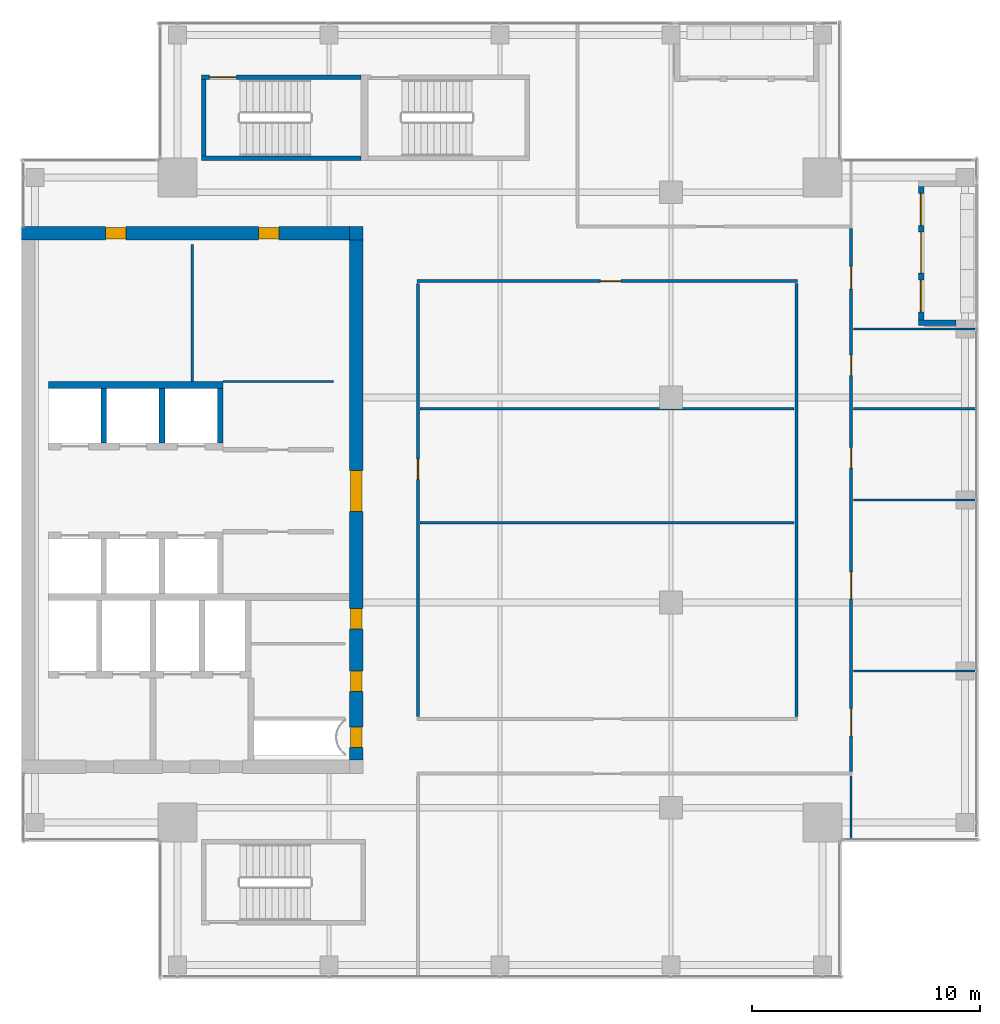
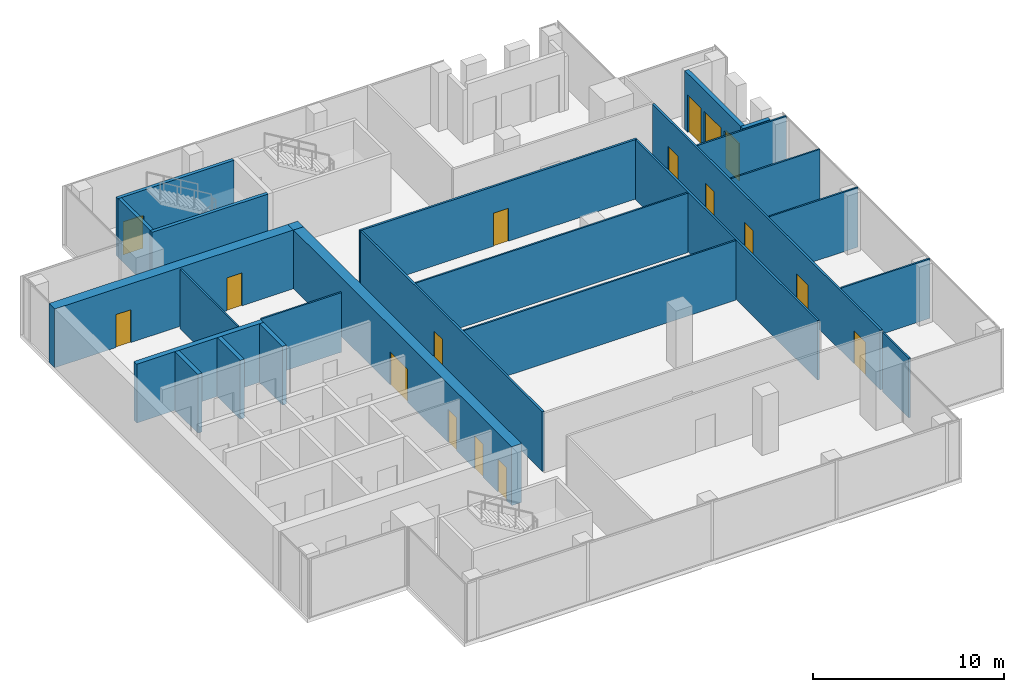
# One storey, part 26 of 29: 25 walls, 15 doors, 2 windows, 17 openings.
"""IFC4 building model written with IfcOpenShell, lengths in metres."""

import ifcopenshell
import ifcopenshell.guid

model = None  # the IFC model being written
_history = None  # IfcOwnerHistory: only IFC2X3 demands one
_inside = {}  # id of a spatial element -> (the spatial element, [elements in it])
_under = {}  # id of a project, library or spatial element -> (it, [spatial elements below it])
_declared = {}  # id of a project -> (the project, [libraries it declares])
_typed = {}  # id of a type object -> (the type object, [elements of that type])
_made_of = {}  # id of a material, layer set ... -> (it, [elements and type objects made of it])


def new_model(schema):
    """Start an empty IFC model of exactly this schema.

    Asked for "IFC4X3", IfcOpenShell would pick the latest addendum, in which some entities
    have other attributes; the version numbers below select the first issue.
    IFC2X3 requires an IfcOwnerHistory on every rooted entity: one is made here for all.
    """
    global model, _history
    if schema == "IFC4X3":
        model = ifcopenshell.file(schema_version=(4, 3, 0, 0))
    else:
        model = ifcopenshell.file(schema=schema)
    _inside.clear()
    _under.clear()
    _declared.clear()
    _typed.clear()
    _made_of.clear()
    _history = None
    if model.schema == "IFC2X3":
        org = make("IfcOrganization", Name="unknown")
        user = make(
            "IfcPersonAndOrganization",
            ThePerson=make("IfcPerson", FamilyName="unknown"),
            TheOrganization=org,
        )
        app = make(
            "IfcApplication",
            ApplicationDeveloper=org,
            Version="unknown",
            ApplicationFullName="unknown",
            ApplicationIdentifier="unknown",
        )
        _history = make(
            "IfcOwnerHistory",
            OwningUser=user,
            OwningApplication=app,
            ChangeAction="ADDED",
            CreationDate=0,
        )
    return model


def make(cls, **values):
    """One entity of the class cls with the attributes given. An attribute that is None is left unset."""
    return model.create_entity(
        cls, **{name: value for name, value in values.items() if value is not None}
    )


def rooted(cls, **values):
    """An entity with a GlobalId (a new one), such as an element, a storey or a relation."""
    return make(cls, GlobalId=ifcopenshell.guid.new(), OwnerHistory=_history, **values)


def si_unit(unit_type, name, prefix=None):
    """IfcSIUnit, for example si_unit("LENGTHUNIT", "METRE", prefix="MILLI")."""
    return make("IfcSIUnit", UnitType=unit_type, Prefix=prefix, Name=name)


def assignment(units):
    """IfcUnitAssignment: the units of a project."""
    return None if units is None else make("IfcUnitAssignment", Units=units)


def point(xyz):
    """IfcCartesianPoint."""
    return None if xyz is None else make("IfcCartesianPoint", Coordinates=xyz)


def direction(xyz):
    """IfcDirection."""
    return None if xyz is None else make("IfcDirection", DirectionRatios=xyz)


def frame(location, z_axis=None, x_axis=None):
    """IfcAxis2Placement3D, a coordinate frame: its origin and axes. An axis left out is left unset."""
    return make(
        "IfcAxis2Placement3D",
        Location=point(location),
        Axis=direction(z_axis),
        RefDirection=direction(x_axis),
    )


def frame_2d(location, x_axis=None):
    """IfcAxis2Placement2D, a coordinate frame in the plane: its origin and x axis."""
    return make(
        "IfcAxis2Placement2D", Location=point(location), RefDirection=direction(x_axis)
    )


def origin():
    """The frame at (0, 0, 0) with its axes left unset."""
    return frame((0.0, 0.0, 0.0))


def place(relative_to, where):
    """IfcLocalPlacement: puts the frame where relative to a parent placement (None: the world)."""
    return make(
        "IfcLocalPlacement", PlacementRelTo=relative_to, RelativePlacement=where
    )


def context(
    kind, dimensions, precision=None, world=None, true_north=None, identifier=None
):
    """IfcGeometricRepresentationContext, for example the 3D "Model" context."""
    return make(
        "IfcGeometricRepresentationContext",
        ContextIdentifier=identifier,
        ContextType=kind,
        CoordinateSpaceDimension=dimensions,
        Precision=precision,
        WorldCoordinateSystem=world,
        TrueNorth=true_north,
    )


def subcontext(parent, identifier, kind, view, scale=None):
    """IfcGeometricRepresentationSubContext, for example "Body" below "Model"."""
    return make(
        "IfcGeometricRepresentationSubContext",
        ContextIdentifier=identifier,
        ContextType=kind,
        ParentContext=parent,
        TargetScale=scale,
        TargetView=view,
    )


def project(units=None, contexts=None):
    """IfcProject with its units and contexts."""
    return rooted(
        "IfcProject",
        Name="project",
        RepresentationContexts=contexts,
        UnitsInContext=assignment(units),
    )


def spatial(cls, under=None, at=None, **own):
    """A site, building, storey or space (cls), placed at a placement, below another one or the project."""
    s = rooted(cls, ObjectPlacement=at, **own)
    if under is not None:
        _under.setdefault(under.id(), (under, []))[1].append(s)
    return s


def profile(cls, at=None, kind="AREA", **sizes):
    """A parametric profile (cls). Its sizes go by their IFC names, for example OverallWidth=200.0."""
    return make(cls, ProfileType=kind, Position=at, **sizes)


def rectangle(**sizes):
    """IfcRectangleProfileDef."""
    return profile("IfcRectangleProfileDef", **sizes)


def extrude(swept, where, along, depth):
    """IfcExtrudedAreaSolid: the profile swept, set in the frame where, extruded along a direction by depth."""
    return make(
        "IfcExtrudedAreaSolid",
        SweptArea=swept,
        Position=where,
        ExtrudedDirection=direction(along),
        Depth=depth,
    )


def shape(context_of_items, identifier, shape_type, items):
    """IfcShapeRepresentation: the items that make up one representation, for example the "Body"."""
    return make(
        "IfcShapeRepresentation",
        ContextOfItems=context_of_items,
        RepresentationIdentifier=identifier,
        RepresentationType=shape_type,
        Items=items,
    )


def source(mapping_origin, context_of_items, identifier, shape_type, items):
    """IfcRepresentationMap: a shape defined once, which mapped items show again and again."""
    return make(
        "IfcRepresentationMap",
        MappingOrigin=mapping_origin,
        MappedRepresentation=shape(context_of_items, identifier, shape_type, items),
    )


def transform(
    local_origin,
    x_axis=None,
    y_axis=None,
    z_axis=None,
    scale=None,
    scale2=None,
    scale3=None,
    uniform=True,
):
    """IfcCartesianTransformationOperator3D, or its non-uniform kind. x_axis, y_axis, z_axis: its Axis1, 2, 3."""
    if uniform:
        return make(
            "IfcCartesianTransformationOperator3D",
            Axis1=direction(x_axis),
            Axis2=direction(y_axis),
            LocalOrigin=point(local_origin),
            Scale=scale,
            Axis3=direction(z_axis),
        )
    return make(
        "IfcCartesianTransformationOperator3DnonUniform",
        Axis1=direction(x_axis),
        Axis2=direction(y_axis),
        LocalOrigin=point(local_origin),
        Scale=scale,
        Axis3=direction(z_axis),
        Scale2=scale2,
        Scale3=scale3,
    )


def mapped(mapping_source, mapping_target):
    """IfcMappedItem: shows the shape of a source again, moved by a transform."""
    return make(
        "IfcMappedItem", MappingSource=mapping_source, MappingTarget=mapping_target
    )


def material(Name=None, Category=None):
    """IfcMaterial."""
    return make("IfcMaterial", Name=Name, Category=Category)


def layer(
    of_material, thickness, ventilated=None, Name=None, Category=None, Priority=None
):
    """IfcMaterialLayer: one layer of a wall or slab, of a material (None: an air gap)."""
    return make(
        "IfcMaterialLayer",
        Material=of_material,
        LayerThickness=thickness,
        IsVentilated=ventilated,
        Name=Name,
        Category=Category,
        Priority=Priority,
    )


def layer_set(layers, Name=None):
    """IfcMaterialLayerSet."""
    return make("IfcMaterialLayerSet", MaterialLayers=layers, LayerSetName=Name)


def made_of(thing, what):
    """Note that an element or type object is made of a material, layer set ...; save() writes the relation."""
    if what is not None:
        _made_of.setdefault(what.id(), (what, []))[1].append(thing)
    return thing


def type_object(cls, material=None, **own):
    """A type object (cls), such as IfcWallType, which elements share."""
    return made_of(rooted(cls, **own), material)


def element(
    cls,
    number,
    at=None,
    inside=None,
    cuts=None,
    type_object=None,
    material=None,
    context=None,
    identifier="Body",
    shape_type=None,
    held_by="IfcProductDefinitionShape",
    body=None,
    shapes=None,
    **own,
):
    """One element of the class cls, such as IfcWall. Its Tag is "e" and its number.

    at: its placement. inside: the storey or other place that contains it. cuts: it is an
    opening in that element (IfcRelVoidsElement). A single representation is given by context,
    identifier, shape_type and body (its items); several are given by shapes. held_by: the class
    of the entity that holds the representations. save() writes the other relations.
    """
    e = rooted(cls, Tag="e%d" % number, ObjectPlacement=at, **own)
    if body is not None:
        shapes = [shape(context, identifier, shape_type, body)]
    if shapes is not None:
        e.Representation = make(held_by, Representations=shapes)
    if inside is not None:
        _inside.setdefault(inside.id(), (inside, []))[1].append(e)
    if cuts is not None:
        rooted(
            "IfcRelVoidsElement", RelatingBuildingElement=cuts, RelatedOpeningElement=e
        )
    if type_object is not None:
        _typed.setdefault(type_object.id(), (type_object, []))[1].append(e)
    return made_of(e, material)


def fill(opening, filler):
    """IfcRelFillsElement: the door or window that sits in an opening."""
    return rooted(
        "IfcRelFillsElement",
        RelatingOpeningElement=opening,
        RelatedBuildingElement=filler,
    )


def aggregate(whole, parts):
    """IfcRelAggregates: a whole, such as a stair, and the parts it consists of."""
    return rooted("IfcRelAggregates", RelatingObject=whole, RelatedObjects=parts)


def save(model, path):
    """Write the relations noted so far, then the file.

    IfcRelAggregates (storeys below a building ...), IfcRelContainedInSpatialStructure (elements
    in a storey), IfcRelDefinesByType, IfcRelAssociatesMaterial and IfcRelDeclares: one each for
    every whole, place, type object, material and project.
    """
    for whole, parts in _under.values():
        aggregate(whole, parts)
    for where, things in _inside.values():
        rooted(
            "IfcRelContainedInSpatialStructure",
            RelatedElements=things,
            RelatingStructure=where,
        )
    for kind, things in _typed.values():
        rooted("IfcRelDefinesByType", RelatedObjects=things, RelatingType=kind)
    for what, things in _made_of.values():
        rooted("IfcRelAssociatesMaterial", RelatedObjects=things, RelatingMaterial=what)
    for by, libraries in _declared.values():
        rooted("IfcRelDeclares", RelatingContext=by, RelatedDefinitions=libraries)
    model.write(path)


model = new_model("IFC4")

# Units and contexts
model_context = context("Model", 3, precision=1e-05, world=origin(), true_north=direction((0.0, 1.0)))
body_context = subcontext(model_context, "Body", "Model", "MODEL_VIEW")
ifc_project = project(units=[si_unit("LENGTHUNIT", "METRE"), si_unit("AREAUNIT", "SQUARE_METRE"), si_unit("VOLUMEUNIT", "CUBIC_METRE"), si_unit("PLANEANGLEUNIT", "RADIAN"), si_unit("MASSUNIT", "GRAM", prefix="KILO")], contexts=[model_context])

# Site, building, storey
site_placement = place(None, origin())
site = spatial("IfcSite", under=ifc_project, at=site_placement, CompositionType="ELEMENT")
building_placement = place(site_placement, origin())
building = spatial("IfcBuilding", under=site, at=building_placement, Name="Khomas Fold Tower", CompositionType="ELEMENT")
storey_placement = place(building_placement, frame((0.0, 0.0, 314.199951171875)))
storey = spatial("IfcBuildingStorey", under=building, at=storey_placement, Name="L71", CompositionType="ELEMENT", Elevation=314.199951171875)

# Wall, opening, door
ifc_material_1 = material(Name="Concrete C50/60", Category="concrete")
ifc_layer_1 = layer(ifc_material_1, 0.199951171875)
ifc_layer_set_1 = layer_set([ifc_layer_1], Name="Concrete C50/60")
wall_type_1 = type_object("IfcWallType", Name="Stair wall 200", PredefinedType="SHEAR", material=ifc_layer_set_1)
shared_shape_1 = source(origin(), body_context, "Body", "SweptSolid", [
    extrude(rectangle(XDim=7.0, YDim=0.199951171875, at=frame_2d((3.5, 0.0))), origin(), (0.0, 0.0, 1.0), 3.75),
])
wall_1_placement = place(storey_placement, frame((13.89990234375, 45.550048828125, 0.0), z_axis=(0.0, 0.0, 1.0), x_axis=(1.0, 0.0, 0.0)))
wall_1 = element("IfcWall", 1, at=wall_1_placement, inside=storey, type_object=wall_type_1, Name="Stair wall SW-ST1-N", PredefinedType="SHEAR", context=body_context, shape_type="MappedRepresentation", body=[
    mapped(shared_shape_1, transform((0.0, 0.0, 0.0))),
])
shared_shape_2 = source(origin(), body_context, "Body", "SweptSolid", [
    extrude(rectangle(XDim=1.199951171875, YDim=2.10009765625, at=frame_2d((0.60009765625, 1.050048828125))), frame((0.0, 0.10986328125, 0.0), z_axis=(0.0, -1.0, 0.0), x_axis=(1.0, 0.0, 0.0)), (0.0, 0.0, 1.0), 0.219970703125),
])
opening_1_placement = place(wall_1_placement, frame((0.35009765625, 0.0, 0.0)))
opening_1 = element("IfcOpeningElement", 2, at=opening_1_placement, cuts=wall_1, Name="Opening SD-ST1", PredefinedType="OPENING", context=body_context, shape_type="MappedRepresentation", body=[
    mapped(shared_shape_2, transform((0.0, 0.0, 0.0))),
])
ifc_material_2 = material(Name="Steel door leaf", Category="steel")
door_type_1 = type_object("IfcDoorType", Name="Stair door 1200x2100 left-hand", OperationType="SINGLE_SWING_LEFT", PredefinedType="DOOR", material=ifc_material_2)
shared_shape_3 = source(origin(), body_context, "Body", "SweptSolid", [
    extrude(rectangle(XDim=1.199951171875, YDim=2.10009765625, at=frame_2d((0.60009765625, 1.050048828125))), frame((0.0, 0.02490234375, 0.0), z_axis=(0.0, -1.0, 0.0), x_axis=(1.0, 0.0, 0.0)), (0.0, 0.0, 1.0), 0.050048828125),
])
door_1_placement = place(opening_1_placement, origin())
door_1 = element("IfcDoor", 3, at=door_1_placement, inside=storey, type_object=door_type_1, Name="Stair door", OperationType="SINGLE_SWING_LEFT", OverallHeight=2.10009765625, OverallWidth=1.199951171875, PredefinedType="DOOR", context=body_context, shape_type="MappedRepresentation", body=[
    mapped(shared_shape_3, transform((0.0, 0.0, 0.0))),
])
fill(opening_1, door_1)

# Walls
wall_2_placement = place(storey_placement, frame((13.89990234375, 42.0, 0.0), z_axis=(0.0, 0.0, 1.0), x_axis=(1.0, 0.0, 0.0)))
element("IfcWall", 4, at=wall_2_placement, inside=storey, type_object=wall_type_1, Name="Stair wall SW-ST1-S", PredefinedType="SHEAR", context=body_context, shape_type="MappedRepresentation", body=[
    mapped(shared_shape_1, transform((0.0, 0.0, 0.0))),
])
shared_shape_4 = source(origin(), body_context, "Body", "SweptSolid", [
    extrude(rectangle(XDim=3.349853515625, YDim=0.199951171875, at=frame_2d((1.6748046875, 0.0))), origin(), (0.0, 0.0, 1.0), 3.75),
])
wall_3_placement = place(storey_placement, frame((14.0, 42.10009765625, 0.0), z_axis=(0.0, 0.0, 1.0), x_axis=(0.0, 1.0, 0.0)))
element("IfcWall", 5, at=wall_3_placement, inside=storey, type_object=wall_type_1, Name="Stair wall SW-ST1-W", PredefinedType="SHEAR", context=body_context, shape_type="MappedRepresentation", body=[
    mapped(shared_shape_4, transform((0.0, 0.0, 0.0))),
])
ifc_material_3 = material(Name="Concrete C50/60", Category="concrete")
ifc_layer_2 = layer(ifc_material_3, 0.25)
ifc_layer_set_2 = layer_set([ifc_layer_2], Name="Concrete C50/60")
wall_type_2 = type_object("IfcWallType", Name="Shaft wall 250", PredefinedType="STANDARD", material=ifc_layer_set_2)
shared_shape_5 = source(origin(), body_context, "Body", "SweptSolid", [
    extrude(rectangle(XDim=2.39990234375, YDim=0.25, at=frame_2d((1.199951171875, 0.0))), origin(), (0.0, 0.0, 1.0), 3.75),
])
for number, where, z_axis, x_axis, name in (
    (6, (9.625, 29.5, 0.0), (0.0, 0.0, 1.0), (0.0, 1.0, 0.0), "Core wall SW-HRN-P1"),
    (7, (12.175048828125, 29.5, 0.0), (0.0, 0.0, 1.0), (0.0, 1.0, 0.0), "Core wall SW-HRN-P2"),
    (8, (14.72509765625, 29.5, 0.0), (0.0, 0.0, 1.0), (0.0, 1.0, 0.0), "Core wall SW-HRN-PE"),
):
    element("IfcWall", number, at=place(storey_placement, frame(where, z_axis=z_axis, x_axis=x_axis)), inside=storey, type_object=wall_type_2, Name=name, PredefinedType="STANDARD", context=body_context, shape_type="MappedRepresentation", body=[
        mapped(shared_shape_5, transform((0.0, 0.0, 0.0))),
    ])

# Wall, openings, doors
ifc_material_4 = material(Name="Concrete C50/60", Category="concrete")
ifc_layer_3 = layer(ifc_material_4, 0.60009765625)
ifc_layer_set_3 = layer_set([ifc_layer_3], Name="Concrete C50/60")
wall_type_3 = type_object("IfcWallType", Name="Core wall 600", PredefinedType="SHEAR", material=ifc_layer_set_3)
shared_shape_6 = source(origin(), body_context, "Body", "SweptSolid", [
    extrude(rectangle(XDim=14.39990234375, YDim=0.60009765625, at=frame_2d((7.199951171875, 0.0))), origin(), (0.0, 0.0, 1.0), 3.75),
])
wall_4_placement = place(storey_placement, frame((6.0, 38.699951171875, 0.0), z_axis=(0.0, 0.0, 1.0), x_axis=(1.0, 0.0, 0.0)))
wall_4 = element("IfcWall", 9, at=wall_4_placement, inside=storey, type_object=wall_type_3, Name="Core wall CW-U-N-L63", PredefinedType="SHEAR", context=body_context, shape_type="MappedRepresentation", body=[
    mapped(shared_shape_6, transform((0.0, 0.0, 0.0))),
])
shared_shape_7 = source(origin(), body_context, "Body", "SweptSolid", [
    extrude(rectangle(XDim=0.89990234375, YDim=2.10009765625, at=frame_2d((0.449951171875, 1.050048828125))), frame((0.0, 0.31005859375, 0.0), z_axis=(0.0, -1.0, 0.0), x_axis=(1.0, 0.0, 0.0)), (0.0, 0.0, 1.0), 0.6201171875),
])
opening_2_placement = place(wall_4_placement, frame((3.699951171875, 0.0, 0.0)))
opening_2 = element("IfcOpeningElement", 10, at=opening_2_placement, cuts=wall_4, Name="Opening 0008", PredefinedType="OPENING", context=body_context, shape_type="MappedRepresentation", body=[
    mapped(shared_shape_7, transform((0.0, 0.0, 0.0))),
])
opening_3_placement = place(wall_4_placement, frame((10.39990234375, 0.0, 0.0)))
opening_3 = element("IfcOpeningElement", 11, at=opening_3_placement, cuts=wall_4, Name="Opening 0008", PredefinedType="OPENING", context=body_context, shape_type="MappedRepresentation", body=[
    mapped(shared_shape_7, transform((0.0, 0.0, 0.0))),
])
ifc_material_5 = material(Name="Timber door leaf", Category="wood")
door_type_2 = type_object("IfcDoorType", Name="Door 900x2100 right-hand", OperationType="SINGLE_SWING_RIGHT", PredefinedType="DOOR", material=ifc_material_5)
shared_shape_8 = source(origin(), body_context, "Body", "SweptSolid", [
    extrude(rectangle(XDim=0.89990234375, YDim=2.10009765625, at=frame_2d((0.449951171875, 1.050048828125))), frame((0.0, 0.25, 0.0), z_axis=(0.0, -1.0, 0.0), x_axis=(1.0, 0.0, 0.0)), (0.0, 0.0, 1.0), 0.5),
])
door_2_placement = place(opening_2_placement, origin())
door_2 = element("IfcDoor", 12, at=door_2_placement, inside=storey, type_object=door_type_2, Name="Door", OperationType="SINGLE_SWING_RIGHT", OverallHeight=2.10009765625, OverallWidth=0.89990234375, PredefinedType="DOOR", context=body_context, shape_type="MappedRepresentation", body=[
    mapped(shared_shape_8, transform((0.0, 0.0, 0.0))),
])
fill(opening_2, door_2)
door_3_placement = place(opening_3_placement, origin())
door_3 = element("IfcDoor", 13, at=door_3_placement, inside=storey, type_object=door_type_2, Name="Door", OperationType="SINGLE_SWING_RIGHT", OverallHeight=2.10009765625, OverallWidth=0.89990234375, PredefinedType="DOOR", context=body_context, shape_type="MappedRepresentation", body=[
    mapped(shared_shape_8, transform((0.0, 0.0, 0.0))),
])
fill(opening_3, door_3)

# Wall
ifc_material_6 = material(Name="Concrete C50/60", Category="concrete")
ifc_layer_4 = layer(ifc_material_6, 0.60009765625)
ifc_layer_set_4 = layer_set([ifc_layer_4], Name="Concrete C50/60")
wall_type_4 = type_object("IfcWallType", Name="Core corner wall 600", PredefinedType="SHEAR", material=ifc_layer_set_4)
shared_shape_9 = source(origin(), body_context, "Body", "SweptSolid", [
    extrude(rectangle(XDim=0.60009765625, YDim=0.60009765625, at=frame_2d((0.300048828125, 0.0))), origin(), (0.0, 0.0, 1.0), 3.75),
])
wall_5_placement = place(storey_placement, frame((20.39990234375, 38.699951171875, 0.0), z_axis=(0.0, 0.0, 1.0), x_axis=(1.0, 0.0, 0.0)))
element("IfcWall", 14, at=wall_5_placement, inside=storey, type_object=wall_type_4, Name="Core wall CW-U-NE-L63", PredefinedType="SHEAR", context=body_context, shape_type="MappedRepresentation", body=[
    mapped(shared_shape_9, transform((0.0, 0.0, 0.0))),
])

# Wall, openings, doors
shared_shape_10 = source(origin(), body_context, "Body", "SweptSolid", [
    extrude(rectangle(XDim=22.7998046875, YDim=0.60009765625, at=frame_2d((11.39990234375, 0.0))), origin(), (0.0, 0.0, 1.0), 3.75),
])
wall_6_placement = place(storey_placement, frame((20.699951171875, 15.60009765625, 0.0), z_axis=(0.0, 0.0, 1.0), x_axis=(0.0, 1.0, 0.0)))
wall_6 = element("IfcWall", 15, at=wall_6_placement, inside=storey, type_object=wall_type_3, Name="Core wall CW-U-E-L63", PredefinedType="SHEAR", context=body_context, shape_type="MappedRepresentation", body=[
    mapped(shared_shape_10, transform((0.0, 0.0, 0.0))),
])
shared_shape_11 = source(origin(), body_context, "Body", "SweptSolid", [
    extrude(rectangle(XDim=1.800048828125, YDim=2.10009765625, at=frame_2d((0.89990234375, 1.050048828125))), frame((0.0, 0.31005859375, 0.0), z_axis=(0.0, -1.0, 0.0), x_axis=(1.0, 0.0, 0.0)), (0.0, 0.0, 1.0), 0.6201171875),
])
opening_4_placement = place(wall_6_placement, frame((10.89990234375, 0.0, 0.0)))
opening_4 = element("IfcOpeningElement", 16, at=opening_4_placement, cuts=wall_6, Name="Opening 0015", PredefinedType="OPENING", context=body_context, shape_type="MappedRepresentation", body=[
    mapped(shared_shape_11, transform((0.0, 0.0, 0.0))),
])
opening_5_placement = place(wall_6_placement, frame((0.550048828125, 0.0, 0.0)))
opening_5 = element("IfcOpeningElement", 17, at=opening_5_placement, cuts=wall_6, Name="Opening 0003", PredefinedType="OPENING", context=body_context, shape_type="MappedRepresentation", body=[
    mapped(shared_shape_7, transform((0.0, 0.0, 0.0))),
])
opening_6_placement = place(wall_6_placement, frame((3.0, 0.0, 0.0)))
opening_6 = element("IfcOpeningElement", 18, at=opening_6_placement, cuts=wall_6, Name="Opening 0008", PredefinedType="OPENING", context=body_context, shape_type="MappedRepresentation", body=[
    mapped(shared_shape_7, transform((0.0, 0.0, 0.0))),
])
opening_7_placement = place(wall_6_placement, frame((5.75, 0.0, 0.0)))
opening_7 = element("IfcOpeningElement", 19, at=opening_7_placement, cuts=wall_6, Name="Opening 0008", PredefinedType="OPENING", context=body_context, shape_type="MappedRepresentation", body=[
    mapped(shared_shape_7, transform((0.0, 0.0, 0.0))),
])
ifc_material_7 = material(Name="Steel door leaf", Category="steel")
door_type_3 = type_object("IfcDoorType", Name="Lobby door 1800x2100", OperationType="DOUBLE_DOOR_SINGLE_SWING", PredefinedType="DOOR", material=ifc_material_7)
shared_shape_12 = source(origin(), body_context, "Body", "SweptSolid", [
    extrude(rectangle(XDim=1.800048828125, YDim=2.10009765625, at=frame_2d((0.89990234375, 1.050048828125))), frame((0.0, 0.25, 0.0), z_axis=(0.0, -1.0, 0.0), x_axis=(1.0, 0.0, 0.0)), (0.0, 0.0, 1.0), 0.5),
])
door_4_placement = place(opening_4_placement, origin())
door_4 = element("IfcDoor", 20, at=door_4_placement, inside=storey, type_object=door_type_3, Name="Lobby door", OperationType="DOUBLE_DOOR_SINGLE_SWING", OverallHeight=2.10009765625, OverallWidth=1.800048828125, PredefinedType="DOOR", context=body_context, shape_type="MappedRepresentation", body=[
    mapped(shared_shape_12, transform((0.0, 0.0, 0.0))),
])
fill(opening_4, door_4)
ifc_material_8 = material(Name="Steel door leaf", Category="steel")
door_type_4 = type_object("IfcDoorType", Name="Plant room door 900x2100 right-hand", OperationType="SINGLE_SWING_RIGHT", PredefinedType="DOOR", material=ifc_material_8)
door_5_placement = place(opening_5_placement, origin())
door_5 = element("IfcDoor", 21, at=door_5_placement, inside=storey, type_object=door_type_4, Name="Plant room door", OperationType="SINGLE_SWING_RIGHT", OverallHeight=2.10009765625, OverallWidth=0.89990234375, PredefinedType="DOOR", context=body_context, shape_type="MappedRepresentation", body=[
    mapped(shared_shape_8, transform((0.0, 0.0, 0.0))),
])
fill(opening_5, door_5)
door_6_placement = place(opening_6_placement, origin())
door_6 = element("IfcDoor", 22, at=door_6_placement, inside=storey, type_object=door_type_2, Name="Door", OperationType="SINGLE_SWING_RIGHT", OverallHeight=2.10009765625, OverallWidth=0.89990234375, PredefinedType="DOOR", context=body_context, shape_type="MappedRepresentation", body=[
    mapped(shared_shape_8, transform((0.0, 0.0, 0.0))),
])
fill(opening_6, door_6)
door_7_placement = place(opening_7_placement, origin())
door_7 = element("IfcDoor", 23, at=door_7_placement, inside=storey, type_object=door_type_2, Name="Door", OperationType="SINGLE_SWING_RIGHT", OverallHeight=2.10009765625, OverallWidth=0.89990234375, PredefinedType="DOOR", context=body_context, shape_type="MappedRepresentation", body=[
    mapped(shared_shape_8, transform((0.0, 0.0, 0.0))),
])
fill(opening_7, door_7)

# Wall
ifc_material_9 = material(Name="Concrete C50/60", Category="concrete")
ifc_layer_5 = layer(ifc_material_9, 0.300048828125)
ifc_layer_set_5 = layer_set([ifc_layer_5], Name="Concrete C50/60")
wall_type_5 = type_object("IfcWallType", Name="Shaft wall 300", PredefinedType="STANDARD", material=ifc_layer_set_5)
shared_shape_13 = source(origin(), body_context, "Body", "SweptSolid", [
    extrude(rectangle(XDim=7.650146484375, YDim=0.300048828125, at=frame_2d((3.8251953125, 0.0))), origin(), (0.0, 0.0, 1.0), 3.75),
])
wall_7_placement = place(storey_placement, frame((7.199951171875, 32.050048828125, 0.0), z_axis=(0.0, 0.0, 1.0), x_axis=(1.0, 0.0, 0.0)))
element("IfcWall", 24, at=wall_7_placement, inside=storey, type_object=wall_type_5, Name="Core wall SW-HRN-B", PredefinedType="STANDARD", context=body_context, shape_type="MappedRepresentation", body=[
    mapped(shared_shape_13, transform((0.0, 0.0, 0.0))),
])

# Wall, openings, door, windows
ifc_material_10 = material(Name="Natural stone", Category="masonry")
ifc_layer_6 = layer(ifc_material_10, 0.0400390625)
ifc_material_11 = material(Name="Mineral wool insulation", Category="insulation")
ifc_layer_7 = layer(ifc_material_11, 0.10009765625)
ifc_material_12 = material(Name="Masonry", Category="masonry")
ifc_layer_8 = layer(ifc_material_12, 0.110107421875)
ifc_layer_set_6 = layer_set([ifc_layer_6, ifc_layer_7, ifc_layer_8], Name="Stone-faced insulated masonry")
wall_type_6 = type_object("IfcWallType", Name="BL-Balcony wall", PredefinedType="SOLIDWALL", material=ifc_layer_set_6)
shared_shape_14 = source(origin(), body_context, "Body", "SweptSolid", [
    extrude(rectangle(XDim=5.85009765625, YDim=0.25, at=frame_2d((2.925048828125, 0.0))), origin(), (0.0, 0.0, 1.0), 3.75),
])
wall_8_placement = place(storey_placement, frame((45.47509765625, 34.89990234375, 0.0), z_axis=(0.0, 0.0, 1.0), x_axis=(0.0, 1.0, 0.0)))
wall_8 = element("IfcWall", 25, at=wall_8_placement, inside=storey, type_object=wall_type_6, Name="Balcony wall BAL-L71-E4", PredefinedType="SOLIDWALL", context=body_context, shape_type="MappedRepresentation", body=[
    mapped(shared_shape_14, transform((0.0, 0.0, 0.0))),
])
shared_shape_15 = source(origin(), body_context, "Body", "SweptSolid", [
    extrude(rectangle(XDim=1.39990234375, YDim=2.39990234375, at=frame_2d((0.699951171875, 1.199951171875))), frame((0.0, 0.135009765625, 0.0), z_axis=(0.0, -1.0, 0.0), x_axis=(1.0, 0.0, 0.0)), (0.0, 0.0, 1.0), 0.27001953125),
])
opening_8_placement = place(wall_8_placement, frame((0.35009765625, 0.0, 0.0)))
opening_8 = element("IfcOpeningElement", 26, at=opening_8_placement, cuts=wall_8, Name="Opening BL-W6", PredefinedType="OPENING", context=body_context, shape_type="MappedRepresentation", body=[
    mapped(shared_shape_15, transform((0.0, 0.0, 0.0))),
])
opening_9_placement = place(wall_8_placement, frame((4.14990234375, 0.0, 0.0)))
opening_9 = element("IfcOpeningElement", 27, at=opening_9_placement, cuts=wall_8, Name="Opening BL-W6", PredefinedType="OPENING", context=body_context, shape_type="MappedRepresentation", body=[
    mapped(shared_shape_15, transform((0.0, 0.0, 0.0))),
])
shared_shape_16 = source(origin(), body_context, "Body", "SweptSolid", [
    extrude(rectangle(XDim=1.800048828125, YDim=2.39990234375, at=frame_2d((0.89990234375, 1.199951171875))), frame((0.0, 0.135009765625, 0.0), z_axis=(0.0, -1.0, 0.0), x_axis=(1.0, 0.0, 0.0)), (0.0, 0.0, 1.0), 0.27001953125),
])
opening_10_placement = place(wall_8_placement, frame((2.050048828125, 0.0, 0.0)))
opening_10 = element("IfcOpeningElement", 28, at=opening_10_placement, cuts=wall_8, Name="Opening BD711", PredefinedType="OPENING", context=body_context, shape_type="MappedRepresentation", body=[
    mapped(shared_shape_16, transform((0.0, 0.0, 0.0))),
])
ifc_material_13 = material(Name="Aluminium framed double glazing", Category="aluminium")
door_type_5 = type_object("IfcDoorType", Name="BL-Glazed balcony door 1800 x 2400", OperationType="DOUBLE_DOOR_DOUBLE_SWING", PredefinedType="DOOR", material=ifc_material_13)
shared_shape_17 = source(origin(), body_context, "Body", "SweptSolid", [
    extrude(rectangle(XDim=1.800048828125, YDim=2.39990234375, at=frame_2d((0.89990234375, 1.199951171875))), frame((0.0, 0.02490234375, 0.0), z_axis=(0.0, -1.0, 0.0), x_axis=(1.0, 0.0, 0.0)), (0.0, 0.0, 1.0), 0.050048828125),
])
door_8_placement = place(opening_10_placement, origin())
door_8 = element("IfcDoor", 29, at=door_8_placement, inside=storey, type_object=door_type_5, Name="Balcony door BD711", OperationType="DOUBLE_DOOR_DOUBLE_SWING", OverallHeight=2.39990234375, OverallWidth=1.800048828125, PredefinedType="DOOR", context=body_context, shape_type="MappedRepresentation", body=[
    mapped(shared_shape_17, transform((0.0, 0.0, 0.0))),
])
fill(opening_10, door_8)
ifc_material_14 = material(Name="Aluminium framed double glazing", Category="aluminium")
window_type = type_object("IfcWindowType", Name="BL-Fixed glazing 1400 x 2400", PartitioningType="SINGLE_PANEL", PredefinedType="WINDOW", material=ifc_material_14)
shared_shape_18 = source(origin(), body_context, "Body", "SweptSolid", [
    extrude(rectangle(XDim=1.39990234375, YDim=2.39990234375, at=frame_2d((0.699951171875, 1.199951171875))), frame((0.0, 0.030029296875, 0.0), z_axis=(0.0, -1.0, 0.0), x_axis=(1.0, 0.0, 0.0)), (0.0, 0.0, 1.0), 0.06005859375),
])
window_1_placement = place(opening_8_placement, origin())
window_1 = element("IfcWindow", 30, at=window_1_placement, inside=storey, type_object=window_type, Name="Balcony glazing BAL-L71-E4-1", OverallHeight=2.39990234375, OverallWidth=1.39990234375, PartitioningType="SINGLE_PANEL", PredefinedType="WINDOW", context=body_context, shape_type="MappedRepresentation", body=[
    mapped(shared_shape_18, transform((0.0, 0.0, 0.0))),
])
fill(opening_8, window_1)
window_2_placement = place(opening_9_placement, origin())
window_2 = element("IfcWindow", 31, at=window_2_placement, inside=storey, type_object=window_type, Name="Balcony glazing BAL-L71-E4-2", OverallHeight=2.39990234375, OverallWidth=1.39990234375, PartitioningType="SINGLE_PANEL", PredefinedType="WINDOW", context=body_context, shape_type="MappedRepresentation", body=[
    mapped(shared_shape_18, transform((0.0, 0.0, 0.0))),
])
fill(opening_9, window_2)

# Walls
shared_shape_19 = source(origin(), body_context, "Body", "SweptSolid", [
    extrude(rectangle(XDim=1.64990234375, YDim=0.25, at=frame_2d((0.824951171875, 0.0))), origin(), (0.0, 0.0, 1.0), 3.75),
])
wall_9_placement = place(storey_placement, frame((47.0, 34.77490234375, 0.0), z_axis=(0.0, 0.0, 1.0), x_axis=(-1.0, 0.0, 0.0)))
element("IfcWall", 32, at=wall_9_placement, inside=storey, type_object=wall_type_6, Name="Balcony return wall BAL-L71-E4-lo", PredefinedType="SOLIDWALL", context=body_context, shape_type="MappedRepresentation", body=[
    mapped(shared_shape_19, transform((0.0, 0.0, 0.0))),
])
ifc_material_15 = material(Name="Plasterboard partition")
ifc_layer_9 = layer(ifc_material_15, 0.10009765625)
ifc_layer_set_7 = layer_set([ifc_layer_9], Name="Plasterboard partition")
wall_type_7 = type_object("IfcWallType", Name="Partition PW1 100", PredefinedType="PARTITIONING", material=ifc_layer_set_7)
shared_shape_20 = source(origin(), body_context, "Body", "SweptSolid", [
    extrude(rectangle(XDim=6.0, YDim=0.10009765625, at=frame_2d((3.0, 0.0))), origin(), (0.0, 0.0, 1.0), 3.800048828125),
])
wall_10_placement = place(storey_placement, frame((13.5, 32.199951171875, 0.0), z_axis=(0.0, 0.0, 1.0), x_axis=(0.0, 1.0, 0.0)))
element("IfcWall", 33, at=wall_10_placement, inside=storey, type_object=wall_type_7, Name="Partition", PredefinedType="PARTITIONING", context=body_context, shape_type="MappedRepresentation", body=[
    mapped(shared_shape_20, transform((0.0, 0.0, 0.0))),
])

# Wall, opening, door
ifc_material_16 = material(Name="Plasterboard partition")
ifc_layer_10 = layer(ifc_material_16, 0.125)
ifc_layer_set_8 = layer_set([ifc_layer_10], Name="Plasterboard partition")
wall_type_8 = type_object("IfcWallType", Name="Partition PW2 125", PredefinedType="PARTITIONING", material=ifc_layer_set_8)
shared_shape_21 = source(origin(), body_context, "Body", "SweptSolid", [
    extrude(rectangle(XDim=19.0, YDim=0.125, at=frame_2d((9.5, 0.0))), origin(), (0.0, 0.0, 1.0), 3.800048828125),
])
wall_11_placement = place(storey_placement, frame((23.39990234375, 17.5, 0.0), z_axis=(0.0, 0.0, 1.0), x_axis=(0.0, 1.0, 0.0)))
wall_11 = element("IfcWall", 34, at=wall_11_placement, inside=storey, type_object=wall_type_8, Name="Partition", PredefinedType="PARTITIONING", context=body_context, shape_type="MappedRepresentation", body=[
    mapped(shared_shape_21, transform((0.0, 0.0, 0.0))),
])
shared_shape_22 = source(origin(), body_context, "Body", "SweptSolid", [
    extrude(rectangle(XDim=0.89990234375, YDim=2.10009765625, at=frame_2d((0.449951171875, 1.050048828125))), frame((0.0, 0.072509765625, 0.0), z_axis=(0.0, -1.0, 0.0), x_axis=(1.0, 0.0, 0.0)), (0.0, 0.0, 1.0), 0.14501953125),
])
opening_11_placement = place(wall_11_placement, frame((10.39990234375, 0.0, 0.0)))
opening_11 = element("IfcOpeningElement", 35, at=opening_11_placement, cuts=wall_11, Name="Opening 0007", PredefinedType="OPENING", context=body_context, shape_type="MappedRepresentation", body=[
    mapped(shared_shape_22, transform((0.0, 0.0, 0.0))),
])
ifc_material_17 = material(Name="Timber door leaf", Category="wood")
door_type_6 = type_object("IfcDoorType", Name="Door 900x2100 left-hand", OperationType="SINGLE_SWING_LEFT", PredefinedType="DOOR", material=ifc_material_17)
shared_shape_23 = source(origin(), body_context, "Body", "SweptSolid", [
    extrude(rectangle(XDim=0.89990234375, YDim=2.10009765625, at=frame_2d((0.449951171875, 1.050048828125))), frame((0.0, 0.02490234375, 0.0), z_axis=(0.0, -1.0, 0.0), x_axis=(1.0, 0.0, 0.0)), (0.0, 0.0, 1.0), 0.050048828125),
])
door_9_placement = place(opening_11_placement, origin())
door_9 = element("IfcDoor", 36, at=door_9_placement, inside=storey, type_object=door_type_6, Name="Door", OperationType="SINGLE_SWING_LEFT", OverallHeight=2.10009765625, OverallWidth=0.89990234375, PredefinedType="DOOR", context=body_context, shape_type="MappedRepresentation", body=[
    mapped(shared_shape_23, transform((0.0, 0.0, 0.0))),
])
fill(opening_11, door_9)

# Walls
wall_12_placement = place(storey_placement, frame((40.0, 17.5, 0.0), z_axis=(0.0, 0.0, 1.0), x_axis=(0.0, 1.0, 0.0)))
element("IfcWall", 37, at=wall_12_placement, inside=storey, type_object=wall_type_8, Name="Partition", PredefinedType="PARTITIONING", context=body_context, shape_type="MappedRepresentation", body=[
    mapped(shared_shape_21, transform((0.0, 0.0, 0.0))),
])
shared_shape_24 = source(origin(), body_context, "Body", "SweptSolid", [
    extrude(rectangle(XDim=2.75, YDim=0.10009765625, at=frame_2d((1.375, 0.0))), origin(), (0.0, 0.0, 1.0), 3.800048828125),
])
wall_13_placement = place(storey_placement, frame((42.39990234375, 12.14990234375, 0.0), z_axis=(0.0, 0.0, 1.0), x_axis=(0.0, 1.0, 0.0)))
element("IfcWall", 38, at=wall_13_placement, inside=storey, type_object=wall_type_7, Name="Partition", PredefinedType="PARTITIONING", context=body_context, shape_type="MappedRepresentation", body=[
    mapped(shared_shape_24, transform((0.0, 0.0, 0.0))),
])

# Wall, openings, doors
shared_shape_25 = source(origin(), body_context, "Body", "SweptSolid", [
    extrude(rectangle(XDim=23.7998046875, YDim=0.125, at=frame_2d((11.89990234375, 0.0))), origin(), (0.0, 0.0, 1.0), 3.800048828125),
])
wall_14_placement = place(storey_placement, frame((42.39990234375, 15.10009765625, 0.0), z_axis=(0.0, 0.0, 1.0), x_axis=(0.0, 1.0, 0.0)))
wall_14 = element("IfcWall", 39, at=wall_14_placement, inside=storey, type_object=wall_type_8, Name="Partition", PredefinedType="PARTITIONING", context=body_context, shape_type="MappedRepresentation", body=[
    mapped(shared_shape_25, transform((0.0, 0.0, 0.0))),
])
shared_shape_26 = source(origin(), body_context, "Body", "SweptSolid", [
    extrude(rectangle(XDim=1.199951171875, YDim=2.10009765625, at=frame_2d((0.60009765625, 1.050048828125))), frame((0.0, 0.072509765625, 0.0), z_axis=(0.0, -1.0, 0.0), x_axis=(1.0, 0.0, 0.0)), (0.0, 0.0, 1.0), 0.14501953125),
])
opening_12_placement = place(wall_14_placement, frame((1.550048828125, 0.0, 0.0)))
opening_12 = element("IfcOpeningElement", 40, at=opening_12_placement, cuts=wall_14, Name="Opening 0013", PredefinedType="OPENING", context=body_context, shape_type="MappedRepresentation", body=[
    mapped(shared_shape_26, transform((0.0, 0.0, 0.0))),
])
opening_13_placement = place(wall_14_placement, frame((7.550048828125, 0.0, 0.0)))
opening_13 = element("IfcOpeningElement", 41, at=opening_13_placement, cuts=wall_14, Name="Opening 0013", PredefinedType="OPENING", context=body_context, shape_type="MappedRepresentation", body=[
    mapped(shared_shape_26, transform((0.0, 0.0, 0.0))),
])
opening_14_placement = place(wall_14_placement, frame((13.300048828125, 0.0, 0.0)))
opening_14 = element("IfcOpeningElement", 42, at=opening_14_placement, cuts=wall_14, Name="Opening 0005", PredefinedType="OPENING", context=body_context, shape_type="MappedRepresentation", body=[
    mapped(shared_shape_22, transform((0.0, 0.0, 0.0))),
])
opening_15_placement = place(wall_14_placement, frame((17.35009765625, 0.0, 0.0)))
opening_15 = element("IfcOpeningElement", 43, at=opening_15_placement, cuts=wall_14, Name="Opening 0004", PredefinedType="OPENING", context=body_context, shape_type="MappedRepresentation", body=[
    mapped(shared_shape_22, transform((0.0, 0.0, 0.0))),
])
shared_shape_27 = source(origin(), body_context, "Body", "SweptSolid", [
    extrude(rectangle(XDim=1.0, YDim=2.10009765625, at=frame_2d((0.5, 1.050048828125))), frame((0.0, 0.072509765625, 0.0), z_axis=(0.0, -1.0, 0.0), x_axis=(1.0, 0.0, 0.0)), (0.0, 0.0, 1.0), 0.14501953125),
])
opening_16_placement = place(wall_14_placement, frame((21.14990234375, 0.0, 0.0)))
opening_16 = element("IfcOpeningElement", 44, at=opening_16_placement, cuts=wall_14, Name="Opening 0006", PredefinedType="OPENING", context=body_context, shape_type="MappedRepresentation", body=[
    mapped(shared_shape_27, transform((0.0, 0.0, 0.0))),
])
ifc_material_18 = material(Name="Timber door leaf", Category="wood")
door_type_7 = type_object("IfcDoorType", Name="WC door 900x2100 left-hand", OperationType="SINGLE_SWING_LEFT", PredefinedType="DOOR", material=ifc_material_18)
door_10_placement = place(opening_14_placement, origin())
door_10 = element("IfcDoor", 45, at=door_10_placement, inside=storey, type_object=door_type_7, Name="WC door", OperationType="SINGLE_SWING_LEFT", OverallHeight=2.10009765625, OverallWidth=0.89990234375, PredefinedType="DOOR", context=body_context, shape_type="MappedRepresentation", body=[
    mapped(shared_shape_23, transform((0.0, 0.0, 0.0))),
])
fill(opening_14, door_10)
ifc_material_19 = material(Name="Timber door leaf", Category="wood")
door_type_8 = type_object("IfcDoorType", Name="WC door 900x2100 right-hand", OperationType="SINGLE_SWING_RIGHT", PredefinedType="DOOR", material=ifc_material_19)
door_11_placement = place(opening_15_placement, origin())
door_11 = element("IfcDoor", 46, at=door_11_placement, inside=storey, type_object=door_type_8, Name="WC door", OperationType="SINGLE_SWING_RIGHT", OverallHeight=2.10009765625, OverallWidth=0.89990234375, PredefinedType="DOOR", context=body_context, shape_type="MappedRepresentation", body=[
    mapped(shared_shape_23, transform((0.0, 0.0, 0.0))),
])
fill(opening_15, door_11)
ifc_material_20 = material(Name="Timber door leaf", Category="wood")
door_type_9 = type_object("IfcDoorType", Name="WC door 1000x2100 right-hand", OperationType="SINGLE_SWING_RIGHT", PredefinedType="DOOR", material=ifc_material_20)
shared_shape_28 = source(origin(), body_context, "Body", "SweptSolid", [
    extrude(rectangle(XDim=1.0, YDim=2.10009765625, at=frame_2d((0.5, 1.050048828125))), frame((0.0, 0.02490234375, 0.0), z_axis=(0.0, -1.0, 0.0), x_axis=(1.0, 0.0, 0.0)), (0.0, 0.0, 1.0), 0.050048828125),
])
door_12_placement = place(opening_16_placement, origin())
door_12 = element("IfcDoor", 47, at=door_12_placement, inside=storey, type_object=door_type_9, Name="WC door", OperationType="SINGLE_SWING_RIGHT", OverallHeight=2.10009765625, OverallWidth=1.0, PredefinedType="DOOR", context=body_context, shape_type="MappedRepresentation", body=[
    mapped(shared_shape_28, transform((0.0, 0.0, 0.0))),
])
fill(opening_16, door_12)
ifc_material_21 = material(Name="Timber door leaf", Category="wood")
door_type_10 = type_object("IfcDoorType", Name="Door 1200x2100 left-hand", OperationType="SINGLE_SWING_LEFT", PredefinedType="DOOR", material=ifc_material_21)
door_13_placement = place(opening_12_placement, origin())
door_13 = element("IfcDoor", 48, at=door_13_placement, inside=storey, type_object=door_type_10, Name="Door", OperationType="SINGLE_SWING_LEFT", OverallHeight=2.10009765625, OverallWidth=1.199951171875, PredefinedType="DOOR", context=body_context, shape_type="MappedRepresentation", body=[
    mapped(shared_shape_3, transform((0.0, 0.0, 0.0))),
])
fill(opening_12, door_13)
door_14_placement = place(opening_13_placement, origin())
door_14 = element("IfcDoor", 49, at=door_14_placement, inside=storey, type_object=door_type_10, Name="Door", OperationType="SINGLE_SWING_LEFT", OverallHeight=2.10009765625, OverallWidth=1.199951171875, PredefinedType="DOOR", context=body_context, shape_type="MappedRepresentation", body=[
    mapped(shared_shape_3, transform((0.0, 0.0, 0.0))),
])
fill(opening_13, door_14)

# Wall, opening, door
shared_shape_29 = source(origin(), body_context, "Body", "SweptSolid", [
    extrude(rectangle(XDim=16.699951171875, YDim=0.125, at=frame_2d((8.35009765625, 0.0))), origin(), (0.0, 0.0, 1.0), 3.800048828125),
])
wall_15_placement = place(storey_placement, frame((23.35009765625, 36.60009765625, 0.0), z_axis=(0.0, 0.0, 1.0), x_axis=(1.0, 0.0, 0.0)))
wall_15 = element("IfcWall", 50, at=wall_15_placement, inside=storey, type_object=wall_type_8, Name="Partition", PredefinedType="PARTITIONING", context=body_context, shape_type="MappedRepresentation", body=[
    mapped(shared_shape_29, transform((0.0, 0.0, 0.0))),
])
opening_17_placement = place(wall_15_placement, frame((8.050048828125, 0.0, 0.0)))
opening_17 = element("IfcOpeningElement", 51, at=opening_17_placement, cuts=wall_15, Name="Opening 0008", PredefinedType="OPENING", context=body_context, shape_type="MappedRepresentation", body=[
    mapped(shared_shape_22, transform((0.0, 0.0, 0.0))),
])
door_15_placement = place(opening_17_placement, origin())
door_15 = element("IfcDoor", 52, at=door_15_placement, inside=storey, type_object=door_type_2, Name="Door", OperationType="SINGLE_SWING_RIGHT", OverallHeight=2.10009765625, OverallWidth=0.89990234375, PredefinedType="DOOR", context=body_context, shape_type="MappedRepresentation", body=[
    mapped(shared_shape_23, transform((0.0, 0.0, 0.0))),
])
fill(opening_17, door_15)

# Walls
shared_shape_30 = source(origin(), body_context, "Body", "SweptSolid", [
    extrude(rectangle(XDim=16.39990234375, YDim=0.10009765625, at=frame_2d((8.199951171875, 0.0))), origin(), (0.0, 0.0, 1.0), 3.800048828125),
])
for number, where, z_axis, x_axis, name in (
    (53, (23.5, 26.0, 0.0), (0.0, 0.0, 1.0), (1.0, 0.0, 0.0), "Partition"),
    (54, (23.5, 31.0, 0.0), (0.0, 0.0, 1.0), (1.0, 0.0, 0.0), "Partition"),
):
    element("IfcWall", number, at=place(storey_placement, frame(where, z_axis=z_axis, x_axis=x_axis)), inside=storey, type_object=wall_type_7, Name=name, PredefinedType="PARTITIONING", context=body_context, shape_type="MappedRepresentation", body=[
        mapped(shared_shape_30, transform((0.0, 0.0, 0.0))),
    ])
shared_shape_31 = source(origin(), body_context, "Body", "SweptSolid", [
    extrude(rectangle(XDim=5.35009765625, YDim=0.10009765625, at=frame_2d((2.675048828125, 0.0))), origin(), (0.0, 0.0, 1.0), 3.800048828125),
])
for number, where, z_axis, x_axis, name in (
    (55, (42.5, 19.5, 0.0), (0.0, 0.0, 1.0), (1.0, 0.0, 0.0), "Partition"),
    (56, (42.5, 27.0, 0.0), (0.0, 0.0, 1.0), (1.0, 0.0, 0.0), "Partition"),
    (57, (42.5, 31.0, 0.0), (0.0, 0.0, 1.0), (1.0, 0.0, 0.0), "Partition"),
    (58, (42.5, 34.5, 0.0), (0.0, 0.0, 1.0), (1.0, 0.0, 0.0), "Partition"),
):
    element("IfcWall", number, at=place(storey_placement, frame(where, z_axis=z_axis, x_axis=x_axis)), inside=storey, type_object=wall_type_7, Name=name, PredefinedType="PARTITIONING", context=body_context, shape_type="MappedRepresentation", body=[
        mapped(shared_shape_31, transform((0.0, 0.0, 0.0))),
    ])
shared_shape_32 = source(origin(), body_context, "Body", "SweptSolid", [
    extrude(rectangle(XDim=4.849853515625, YDim=0.10009765625, at=frame_2d((2.4248046875, 0.0))), origin(), (0.0, 0.0, 1.0), 3.800048828125),
])
wall_16_placement = place(storey_placement, frame((14.85009765625, 32.199951171875, 0.0), z_axis=(0.0, 0.0, 1.0), x_axis=(1.0, 0.0, 0.0)))
element("IfcWall", 59, at=wall_16_placement, inside=storey, type_object=wall_type_7, Name="Partition", PredefinedType="PARTITIONING", context=body_context, shape_type="MappedRepresentation", body=[
    mapped(shared_shape_32, transform((0.0, 0.0, 0.0))),
])

save(model, "model.ifc")
